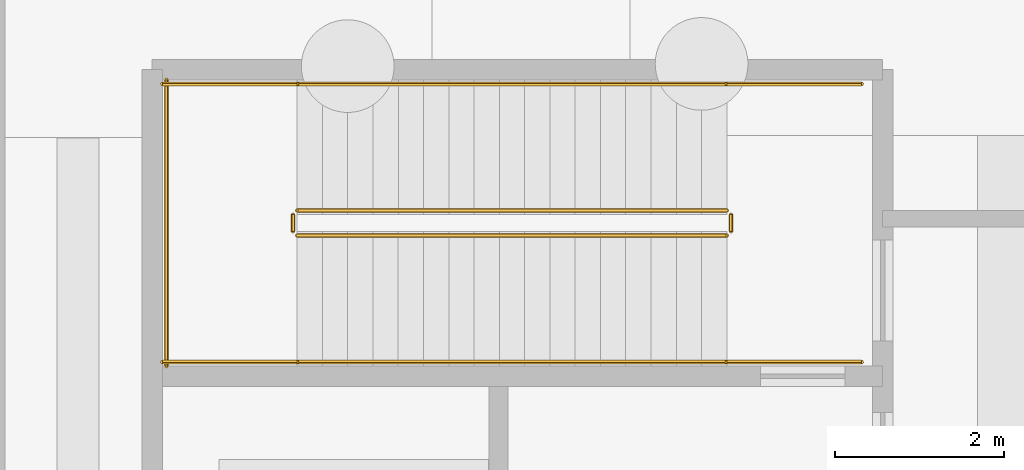
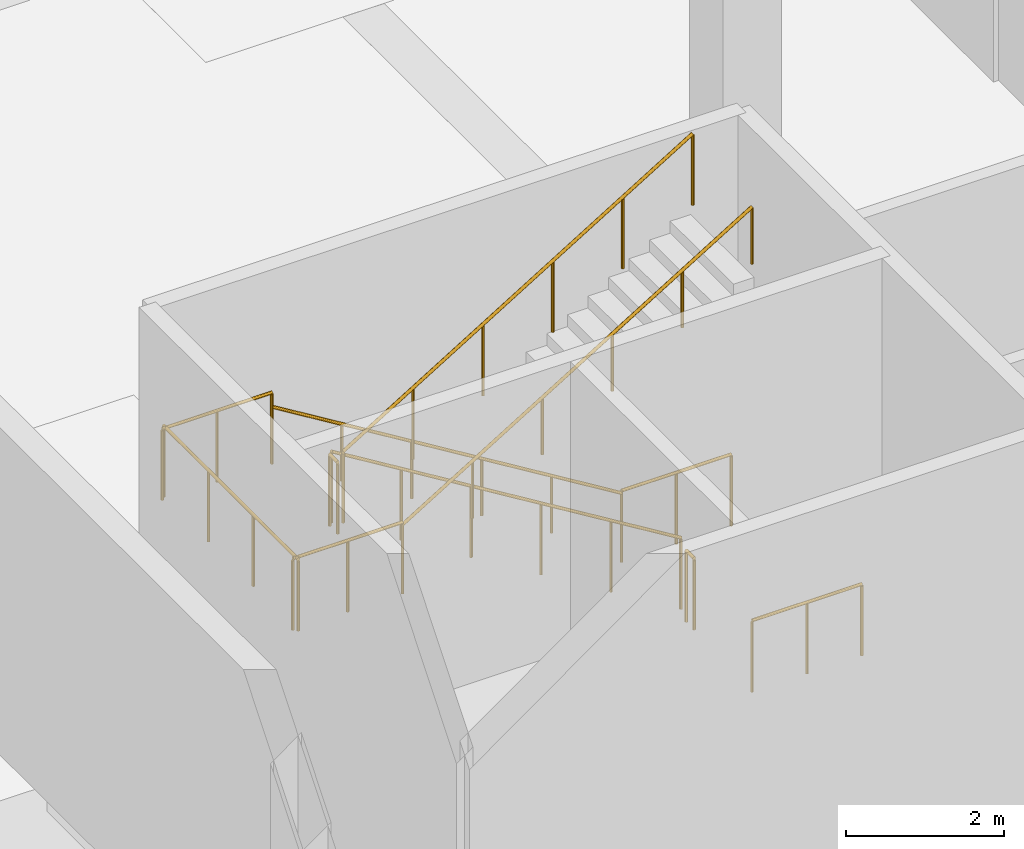
# One storey, part 105 of 117: 11 railings.
"""IFC4 building model written with IfcOpenShell, lengths in metres."""

from ifc_helpers import new_model, si_unit, direction, frame, origin, origin_2d, place, context, subcontext, project, spatial, circle, extrude, material, type_object, element, save


model = new_model("IFC4")

# Units and contexts
model_context = context("Model", 3, precision=1e-05, world=origin(), true_north=direction((0.0, 1.0)))
body_context = subcontext(model_context, "Body", "Model", "MODEL_VIEW")
ifc_project = project(units=[si_unit("LENGTHUNIT", "METRE"), si_unit("AREAUNIT", "SQUARE_METRE"), si_unit("VOLUMEUNIT", "CUBIC_METRE"), si_unit("PLANEANGLEUNIT", "RADIAN"), si_unit("MASSUNIT", "GRAM", prefix="KILO")], contexts=[model_context])

# Site, building, storey
site_placement = place(None, origin())
site = spatial("IfcSite", under=ifc_project, at=site_placement, CompositionType="ELEMENT")
building_placement = place(site_placement, origin())
building = spatial("IfcBuilding", under=site, at=building_placement, Name="Kamomehara Wholesale Market", CompositionType="ELEMENT")
storey_placement = place(building_placement, origin())
storey = spatial("IfcBuildingStorey", under=building, at=storey_placement, Name="L00", CompositionType="ELEMENT", Elevation=0.0)

# Railings
ifc_material_1 = material(Name="Steel SN400B", Category="steel")
railing_type_1 = type_object("IfcRailingType", Name="RAL-HND-900", PredefinedType="HANDRAIL", material=ifc_material_1)
railing_1_placement = place(storey_placement, frame((8.75, 129.25, 0.183349609375)))
element("IfcRailing", 1, at=railing_1_placement, inside=storey, type_object=railing_type_1, Name="L00 ST-04 stair handrail 1", PredefinedType="HANDRAIL", context=body_context, shape_type="SweptSolid", body=[
    extrude(circle(Radius=0.02392578125, at=origin_2d()), frame((0.0, 0.0, 0.8759765625), z_axis=(-0.853283853024, 0.0, 0.521446705012), x_axis=(0.0, -1.0, 0.0)), (0.0, 0.0, 1.0), 5.97705078125),
    extrude(circle(Radius=0.02099609375, at=origin_2d()), origin(), (0.0, 0.0, 1.0), 0.851806640625),
    extrude(circle(Radius=0.02099609375, at=origin_2d()), frame((-1.02001953125, 0.0, 0.623291015625)), (0.0, 0.0, 1.0), 0.851806640625),
    extrude(circle(Radius=0.02099609375, at=origin_2d()), frame((-2.0400390625, 0.0, 1.24658203125)), (0.0, 0.0, 1.0), 0.851806640625),
    extrude(circle(Radius=0.02099609375, at=origin_2d()), frame((-3.06005859375, 0.0, 1.8701171875)), (0.0, 0.0, 1.0), 0.851806640625),
    extrude(circle(Radius=0.02099609375, at=origin_2d()), frame((-4.080078125, 0.0, 2.493408203125)), (0.0, 0.0, 1.0), 0.851806640625),
    extrude(circle(Radius=0.02099609375, at=origin_2d()), frame((-5.10009765625, 0.0, 3.11669921875)), (0.0, 0.0, 1.0), 0.851806640625),
])
railing_2_placement = place(storey_placement, frame((3.64990234375, 125.949951171875, 3.4833984375)))
element("IfcRailing", 2, at=railing_2_placement, inside=storey, type_object=railing_type_1, Name="L00 ST-04 stair handrail 2", PredefinedType="HANDRAIL", context=body_context, shape_type="SweptSolid", body=[
    extrude(circle(Radius=0.02392578125, at=origin_2d()), frame((0.0, 0.0, 0.8759765625), z_axis=(0.853283853024, 0.0, 0.521446705012), x_axis=(0.0, 1.0, 0.0)), (0.0, 0.0, 1.0), 5.97705078125),
    extrude(circle(Radius=0.02099609375, at=origin_2d()), origin(), (0.0, 0.0, 1.0), 0.851806640625),
    extrude(circle(Radius=0.02099609375, at=origin_2d()), frame((1.02001953125, 0.0, 0.623291015625)), (0.0, 0.0, 1.0), 0.851806640625),
    extrude(circle(Radius=0.02099609375, at=origin_2d()), frame((2.0400390625, 0.0, 1.24658203125)), (0.0, 0.0, 1.0), 0.851806640625),
    extrude(circle(Radius=0.02099609375, at=origin_2d()), frame((3.06005859375, 0.0, 1.8701171875)), (0.0, 0.0, 1.0), 0.851806640625),
    extrude(circle(Radius=0.02099609375, at=origin_2d()), frame((4.080078125, 0.0, 2.493408203125)), (0.0, 0.0, 1.0), 0.851806640625),
    extrude(circle(Radius=0.02099609375, at=origin_2d()), frame((5.10009765625, 0.0, 3.11669921875)), (0.0, 0.0, 1.0), 0.851806640625),
])
ifc_material_2 = material(Name="Steel SN400B", Category="steel")
railing_type_2 = type_object("IfcRailingType", Name="RAL-INT-1100", PredefinedType="BALUSTRADE", material=ifc_material_2)
railing_3_placement = place(storey_placement, frame((8.75, 127.75, 0.183349609375)))
element("IfcRailing", 3, at=railing_3_placement, inside=storey, type_object=railing_type_2, Name="L00 ST-04 stair guard 1", PredefinedType="BALUSTRADE", context=body_context, shape_type="SweptSolid", body=[
    extrude(circle(Radius=0.02392578125, at=origin_2d()), frame((0.0, 0.0, 1.09619140625), z_axis=(-0.853283853024, 0.0, 0.521446705012), x_axis=(0.0, -1.0, 0.0)), (0.0, 0.0, 1.0), 5.97705078125),
    extrude(circle(Radius=0.02099609375, at=origin_2d()), origin(), (0.0, 0.0, 1.0), 1.072021484375),
    extrude(circle(Radius=0.02099609375, at=origin_2d()), frame((-1.02001953125, 0.0, 0.623291015625)), (0.0, 0.0, 1.0), 1.072021484375),
    extrude(circle(Radius=0.02099609375, at=origin_2d()), frame((-2.0400390625, 0.0, 1.24658203125)), (0.0, 0.0, 1.0), 1.072021484375),
    extrude(circle(Radius=0.02099609375, at=origin_2d()), frame((-3.06005859375, 0.0, 1.8701171875)), (0.0, 0.0, 1.0), 1.072021484375),
    extrude(circle(Radius=0.02099609375, at=origin_2d()), frame((-4.080078125, 0.0, 2.493408203125)), (0.0, 0.0, 1.0), 1.072021484375),
    extrude(circle(Radius=0.02099609375, at=origin_2d()), frame((-5.10009765625, 0.0, 3.11669921875)), (0.0, 0.0, 1.0), 1.072021484375),
])
railing_4_placement = place(storey_placement, frame((3.60009765625, 127.699951171875, 3.300048828125)))
element("IfcRailing", 4, at=railing_4_placement, inside=storey, type_object=railing_type_2, Name="L00 ST-04 stair guard 2", PredefinedType="BALUSTRADE", context=body_context, shape_type="SweptSolid", body=[
    extrude(circle(Radius=0.02392578125, at=origin_2d()), frame((0.0, 0.0, 1.09619140625), z_axis=(0.0, -1.0, 0.0), x_axis=(1.0, 0.0, 0.0)), (0.0, 0.0, 1.0), 0.199951171875),
    extrude(circle(Radius=0.02099609375, at=origin_2d()), origin(), (0.0, 0.0, 1.0), 1.072021484375),
    extrude(circle(Radius=0.02099609375, at=origin_2d()), frame((0.0, -0.199951171875, 0.0)), (0.0, 0.0, 1.0), 1.072021484375),
])
for number, where, name in (
    (5, (3.64990234375, 129.25, 3.300048828125), "L00 ST-04 stair guard 3"),
    (6, (3.64990234375, 125.949951171875, 3.300048828125), "L00 ST-04 stair guard 4"),
):
    element("IfcRailing", number, at=place(storey_placement, frame(where)), inside=storey, type_object=railing_type_2, Name=name, PredefinedType="BALUSTRADE", context=body_context, shape_type="SweptSolid", body=[
        extrude(circle(Radius=0.02392578125, at=origin_2d()), frame((0.0, 0.0, 1.09619140625), z_axis=(-1.0, 0.0, 0.0), x_axis=(0.0, -1.0, 0.0)), (0.0, 0.0, 1.0), 1.599853515625),
        extrude(circle(Radius=0.02099609375, at=origin_2d()), origin(), (0.0, 0.0, 1.0), 1.072021484375),
        extrude(circle(Radius=0.02099609375, at=origin_2d()), frame((-0.7998046875, 0.0, 0.0)), (0.0, 0.0, 1.0), 1.072021484375),
        extrude(circle(Radius=0.02099609375, at=origin_2d()), frame((-1.599853515625, 0.0, 0.0)), (0.0, 0.0, 1.0), 1.072021484375),
    ])
railing_5_placement = place(storey_placement, frame((2.10009765625, 129.300048828125, 3.300048828125)))
element("IfcRailing", 7, at=railing_5_placement, inside=storey, type_object=railing_type_2, Name="L00 ST-04 stair guard 5", PredefinedType="BALUSTRADE", context=body_context, shape_type="SweptSolid", body=[
    extrude(circle(Radius=0.02392578125, at=origin_2d()), frame((0.0, 0.0, 1.09619140625), z_axis=(0.0, -1.0, 0.0), x_axis=(1.0, 0.0, 0.0)), (0.0, 0.0, 1.0), 3.400146484375),
    extrude(circle(Radius=0.02099609375, at=origin_2d()), origin(), (0.0, 0.0, 1.0), 1.072021484375),
    extrude(circle(Radius=0.02099609375, at=origin_2d()), frame((0.0, -1.13330078125, 0.0)), (0.0, 0.0, 1.0), 1.072021484375),
    extrude(circle(Radius=0.02099609375, at=origin_2d()), frame((0.0, -2.266845703125, 0.0)), (0.0, 0.0, 1.0), 1.072021484375),
    extrude(circle(Radius=0.02099609375, at=origin_2d()), frame((0.0, -3.400146484375, 0.0)), (0.0, 0.0, 1.0), 1.072021484375),
])
railing_6_placement = place(storey_placement, frame((3.64990234375, 127.449951171875, 3.4833984375)))
element("IfcRailing", 8, at=railing_6_placement, inside=storey, type_object=railing_type_2, Name="L00 ST-04 stair guard 6", PredefinedType="BALUSTRADE", context=body_context, shape_type="SweptSolid", body=[
    extrude(circle(Radius=0.02392578125, at=origin_2d()), frame((0.0, 0.0, 1.09619140625), z_axis=(0.853283853024, 0.0, 0.521446705012), x_axis=(0.0, 1.0, 0.0)), (0.0, 0.0, 1.0), 5.97705078125),
    extrude(circle(Radius=0.02099609375, at=origin_2d()), origin(), (0.0, 0.0, 1.0), 1.072021484375),
    extrude(circle(Radius=0.02099609375, at=origin_2d()), frame((1.02001953125, 0.0, 0.623291015625)), (0.0, 0.0, 1.0), 1.072021484375),
    extrude(circle(Radius=0.02099609375, at=origin_2d()), frame((2.0400390625, 0.0, 1.24658203125)), (0.0, 0.0, 1.0), 1.072021484375),
    extrude(circle(Radius=0.02099609375, at=origin_2d()), frame((3.06005859375, 0.0, 1.8701171875)), (0.0, 0.0, 1.0), 1.072021484375),
    extrude(circle(Radius=0.02099609375, at=origin_2d()), frame((4.080078125, 0.0, 2.493408203125)), (0.0, 0.0, 1.0), 1.072021484375),
    extrude(circle(Radius=0.02099609375, at=origin_2d()), frame((5.10009765625, 0.0, 3.11669921875)), (0.0, 0.0, 1.0), 1.072021484375),
])
railing_7_placement = place(storey_placement, frame((8.800048828125, 127.699951171875, 0.0)))
element("IfcRailing", 9, at=railing_7_placement, inside=storey, type_object=railing_type_2, Name="L00 ST-04 stair guard 7", PredefinedType="BALUSTRADE", context=body_context, shape_type="SweptSolid", body=[
    extrude(circle(Radius=0.02392578125, at=origin_2d()), frame((0.0, 0.0, 1.09619140625), z_axis=(0.0, -1.0, 0.0), x_axis=(1.0, 0.0, 0.0)), (0.0, 0.0, 1.0), 0.199951171875),
    extrude(circle(Radius=0.02099609375, at=origin_2d()), origin(), (0.0, 0.0, 1.0), 1.072021484375),
    extrude(circle(Radius=0.02099609375, at=origin_2d()), frame((0.0, -0.199951171875, 0.0)), (0.0, 0.0, 1.0), 1.072021484375),
])
for number, where, name in (
    (10, (10.35009765625, 129.25, 0.0), "L00 ST-04 stair guard 8"),
    (11, (10.35009765625, 125.949951171875, 0.0), "L00 ST-04 stair guard 9"),
):
    element("IfcRailing", number, at=place(storey_placement, frame(where)), inside=storey, type_object=railing_type_2, Name=name, PredefinedType="BALUSTRADE", context=body_context, shape_type="SweptSolid", body=[
        extrude(circle(Radius=0.02392578125, at=origin_2d()), frame((0.0, 0.0, 1.09619140625), z_axis=(-1.0, 0.0, 0.0), x_axis=(0.0, -1.0, 0.0)), (0.0, 0.0, 1.0), 1.60009765625),
        extrude(circle(Radius=0.02099609375, at=origin_2d()), origin(), (0.0, 0.0, 1.0), 1.072021484375),
        extrude(circle(Radius=0.02099609375, at=origin_2d()), frame((-0.800048828125, 0.0, 0.0)), (0.0, 0.0, 1.0), 1.072021484375),
        extrude(circle(Radius=0.02099609375, at=origin_2d()), frame((-1.60009765625, 0.0, 0.0)), (0.0, 0.0, 1.0), 1.072021484375),
    ])

save(model, "model.ifc")
